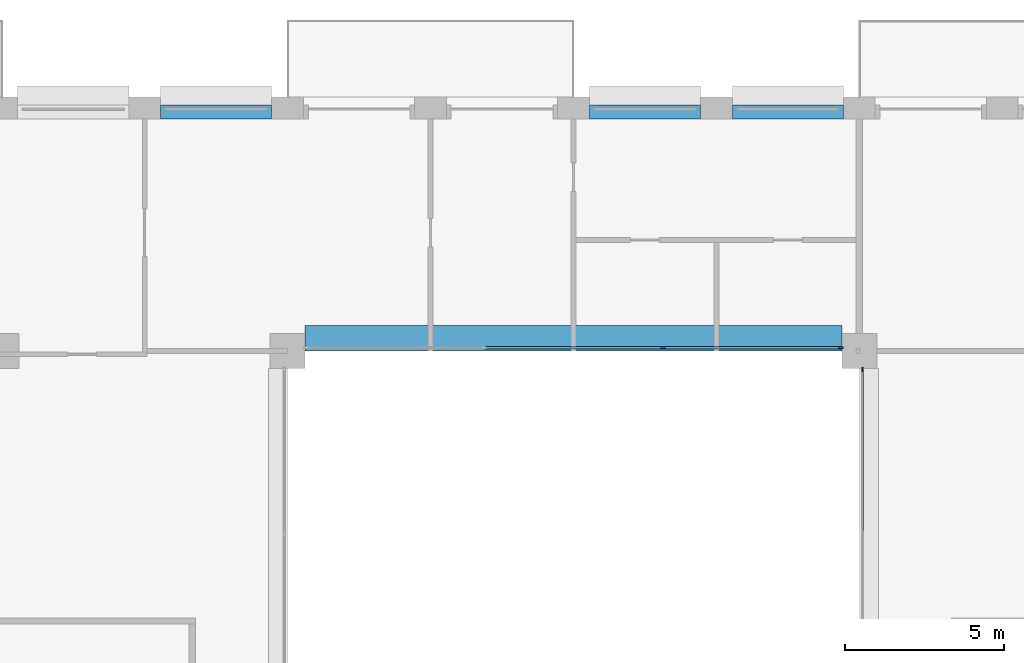
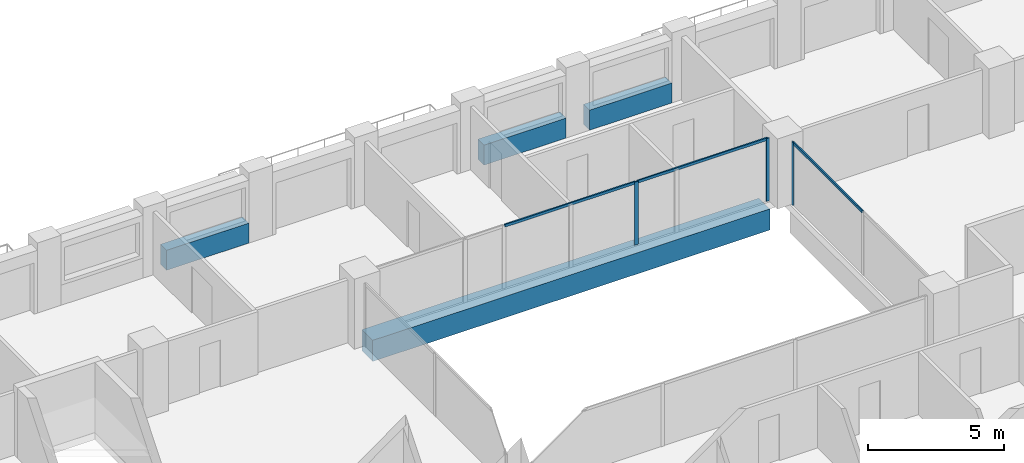
# One storey, part 6 of 15: 6 members, 4 beams, 2 elements without a shape of their own.
"""IFC4 building model written with IfcOpenShell, lengths in metres."""

from ifc_helpers import new_model, si_unit, direction, frame, origin, origin_2d, place, context, subcontext, project, spatial, rectangle, extrude, material, layer, layer_set, material_profile, profile_set, type_object, element, aggregate, save


model = new_model("IFC4")

# Units and contexts
model_context = context("Model", 3, precision=1e-05, world=origin(), true_north=direction((0.0, 1.0)))
body_context = subcontext(model_context, "Body", "Model", "MODEL_VIEW")
ifc_project = project(units=[si_unit("LENGTHUNIT", "METRE"), si_unit("AREAUNIT", "SQUARE_METRE"), si_unit("VOLUMEUNIT", "CUBIC_METRE"), si_unit("PLANEANGLEUNIT", "RADIAN"), si_unit("MASSUNIT", "GRAM", prefix="KILO")], contexts=[model_context])

# Site, building, storey
site_placement = place(None, origin())
site = spatial("IfcSite", under=ifc_project, at=site_placement, CompositionType="ELEMENT")
building_placement = place(site_placement, origin())
building = spatial("IfcBuilding", under=site, at=building_placement, Name="Brigalow Station Residences", CompositionType="ELEMENT")
storey_placement = place(building_placement, frame((0.0, 0.0, 172.800048828125)))
storey = spatial("IfcBuildingStorey", under=building, at=storey_placement, Name="L50", CompositionType="ELEMENT", Elevation=172.800048828125)

# Beam
ifc_material_1 = material(Name="Concrete C65", Category="concrete")
ifc_material_profile_1 = material_profile(ifc_material_1, rectangle(XDim=0.800048828125, YDim=0.949951171875, at=origin_2d()), Name="RC800x950")
ifc_profile_set_1 = profile_set([ifc_material_profile_1], Name="Concrete C65")
beam_type_1 = type_object("IfcBeamType", Name="ATRIUM EDGE GIRDER OVER 13.5 M SPAN 800x950 C65", PredefinedType="BEAM", material=ifc_profile_set_1)
beam_placement = place(storey_placement, frame((27.550048828125, 35.89990234375, -0.795166015625), z_axis=(1.0, 0.0, 0.0), x_axis=(0.0, 1.0, 0.0)))
element("IfcBeam", 1, at=beam_placement, inside=storey, type_object=beam_type_1, Name="ATRIUM EDGE GIRDER D L50", PredefinedType="BEAM", context=body_context, shape_type="SweptSolid", body=[
    extrude(rectangle(XDim=0.800048828125, YDim=0.949951171875, at=origin_2d()), origin(), (0.0, 0.0, 1.0), 16.89990234375),
])

# Curtain wall, member
ifc_material_2 = material(Name="Aluminium", Category="aluminium")
ifc_layer = layer(ifc_material_2, 0.14990234375)
ifc_layer_set = layer_set([ifc_layer], Name="ATRIUM FIRE-RATED GLAZING CURTAIN WALL")
curtain_wall_type = type_object("IfcCurtainWallType", Name="ATRIUM FIRE-RATED GLAZING CURTAIN WALL", PredefinedType="NOTDEFINED", material=ifc_layer_set)
curtain_wall_1_placement = place(storey_placement, origin())
curtain_wall_1 = element("IfcCurtainWall", 2, at=curtain_wall_1_placement, inside=storey, type_object=curtain_wall_type, Name="L50/cw/atrium-E", PredefinedType="NOTDEFINED")
ifc_material_3 = material(Name="Aluminium", Category="aluminium")
ifc_material_profile_2 = material_profile(ifc_material_3, rectangle(XDim=0.06005859375, YDim=0.14990234375, at=origin_2d()), Name="ATRIUM FIRE-RATED GLAZING MULLION 60x150")
ifc_profile_set_2 = profile_set([ifc_material_profile_2], Name="Aluminium")
member_type_1 = type_object("IfcMemberType", Name="ATRIUM FIRE-RATED GLAZING MULLION 60x150", PredefinedType="MULLION", material=ifc_profile_set_2)
member_1_placement = place(storey_placement, frame((45.10009765625, 34.919921875, 0.0), z_axis=(0.0, 0.0, 1.0), x_axis=(-1.0, 0.0, 0.0)))
member_1 = element("IfcMember", 3, at=member_1_placement, type_object=member_type_1, Name="L50/cw/atrium-E/M02", PredefinedType="MULLION", context=body_context, shape_type="SweptSolid", body=[
    extrude(rectangle(XDim=0.06005859375, YDim=0.14990234375, at=origin_2d()), origin(), (0.0, 0.0, 1.0), 2.829833984375),
])

# Curtain wall, members
curtain_wall_2_placement = place(storey_placement, origin())
curtain_wall_2 = element("IfcCurtainWall", 4, at=curtain_wall_2_placement, inside=storey, type_object=curtain_wall_type, Name="L50/cw/atrium-N", PredefinedType="NOTDEFINED")
member_2_placement = place(storey_placement, frame((44.419921875, 35.60009765625, 0.0), z_axis=(0.0, 0.0, 1.0), x_axis=(0.0, -1.0, 0.0)))
member_2 = element("IfcMember", 5, at=member_2_placement, type_object=member_type_1, Name="L50/cw/atrium-N/M00", PredefinedType="MULLION", context=body_context, shape_type="SweptSolid", body=[
    extrude(rectangle(XDim=0.06005859375, YDim=0.14990234375, at=origin_2d()), origin(), (0.0, 0.0, 1.0), 2.829833984375),
])
member_3_placement = place(storey_placement, frame((38.816650390625, 35.60009765625, 0.0), z_axis=(0.0, 0.0, 1.0), x_axis=(0.0, -1.0, 0.0)))
member_3 = element("IfcMember", 6, at=member_3_placement, type_object=member_type_1, Name="L50/cw/atrium-N/M01", PredefinedType="MULLION", context=body_context, shape_type="SweptSolid", body=[
    extrude(rectangle(XDim=0.06005859375, YDim=0.14990234375, at=origin_2d()), origin(), (0.0, 0.0, 1.0), 2.829833984375),
])

# Member
ifc_material_4 = material(Name="Aluminium", Category="aluminium")
ifc_material_profile_3 = material_profile(ifc_material_4, rectangle(XDim=0.06005859375, YDim=0.1201171875, at=origin_2d()), Name="ATRIUM FIRE-RATED GLAZING TRANSOM 60x120")
ifc_profile_set_3 = profile_set([ifc_material_profile_3], Name="Aluminium")
member_type_2 = type_object("IfcMemberType", Name="ATRIUM FIRE-RATED GLAZING TRANSOM 60x120", PredefinedType="USERDEFINED", material=ifc_profile_set_3)
member_4_placement = place(storey_placement, frame((45.10009765625, 29.780029296875, 2.800048828125), z_axis=(0.0, 1.0, 0.0), x_axis=(-1.0, 0.0, 0.0)))
member_4 = element("IfcMember", 7, at=member_4_placement, type_object=member_type_2, Name="L50/cw/atrium-E/T01-00", ObjectType="TRANSOM", PredefinedType="USERDEFINED", context=body_context, shape_type="SweptSolid", body=[
    extrude(rectangle(XDim=0.06005859375, YDim=0.1201171875, at=origin_2d()), origin(), (0.0, 0.0, 1.0), 5.10986328125),
])

aggregate(curtain_wall_1, [member_1, member_4])

member_5_placement = place(storey_placement, frame((44.389892578125, 35.60009765625, 2.800048828125), z_axis=(-1.0, 0.0, 0.0), x_axis=(0.0, -1.0, 0.0)))
member_5 = element("IfcMember", 8, at=member_5_placement, type_object=member_type_2, Name="L50/cw/atrium-N/T00-00", ObjectType="TRANSOM", PredefinedType="USERDEFINED", context=body_context, shape_type="SweptSolid", body=[
    extrude(rectangle(XDim=0.06005859375, YDim=0.1201171875, at=origin_2d()), origin(), (0.0, 0.0, 1.0), 5.543212890625),
])

member_6_placement = place(storey_placement, frame((38.78662109375, 35.60009765625, 2.800048828125), z_axis=(-1.0, 0.0, 0.0), x_axis=(0.0, -1.0, 0.0)))
member_6 = element("IfcMember", 9, at=member_6_placement, type_object=member_type_2, Name="L50/cw/atrium-N/T01-00", ObjectType="TRANSOM", PredefinedType="USERDEFINED", context=body_context, shape_type="SweptSolid", body=[
    extrude(rectangle(XDim=0.06005859375, YDim=0.1201171875, at=origin_2d()), origin(), (0.0, 0.0, 1.0), 5.5732421875),
])

aggregate(curtain_wall_2, [member_2, member_3, member_5, member_6])

# Beams
ifc_material_5 = material(Name="Concrete C50", Category="concrete")
ifc_material_profile_4 = material_profile(ifc_material_5, rectangle(XDim=0.449951171875, YDim=0.89990234375, at=origin_2d()), Name="RC450x900")
ifc_profile_set_4 = profile_set([ifc_material_profile_4], Name="Concrete C50")
beam_type_2 = type_object("IfcBeamType", Name="SPANDREL BEAM 450x900 C50", PredefinedType="SPANDREL", material=ifc_profile_set_4)
for number, where, z_axis, x_axis, name in (
    (10, (44.5, 43.02490234375, 0.449951171875), (-1.0, 0.0, 0.0), (0.0, -1.0, 0.0), "L50/spandrel/W-L50-27"),
    (11, (40.0, 43.02490234375, 0.449951171875), (-1.0, 0.0, 0.0), (0.0, -1.0, 0.0), "L50/spandrel/W-L50-28"),
    (12, (26.5, 43.02490234375, 0.449951171875), (-1.0, 0.0, 0.0), (0.0, -1.0, 0.0), "L50/spandrel/W-L50-31"),
):
    element("IfcBeam", number, at=place(storey_placement, frame(where, z_axis=z_axis, x_axis=x_axis)), inside=storey, type_object=beam_type_2, Name=name, PredefinedType="SPANDREL", context=body_context, shape_type="SweptSolid", body=[
        extrude(rectangle(XDim=0.449951171875, YDim=0.89990234375, at=origin_2d()), origin(), (0.0, 0.0, 1.0), 3.5),
    ])

save(model, "model.ifc")
